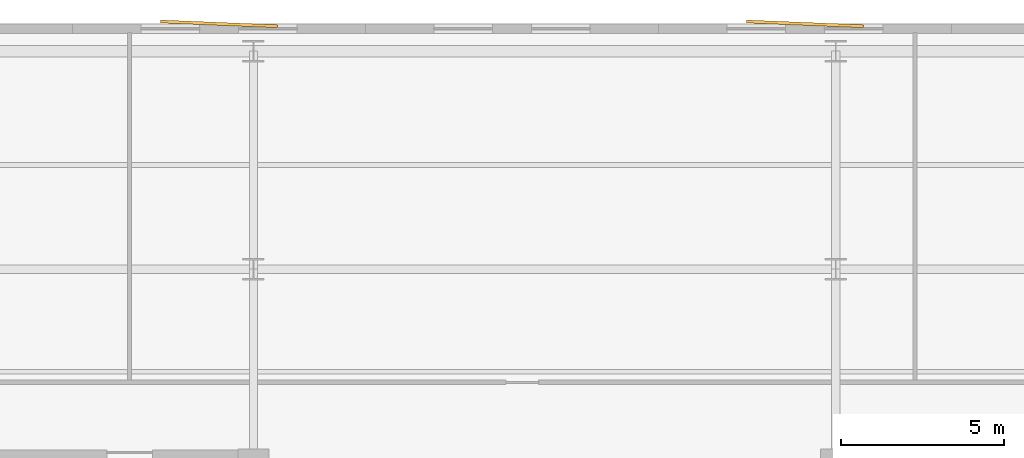
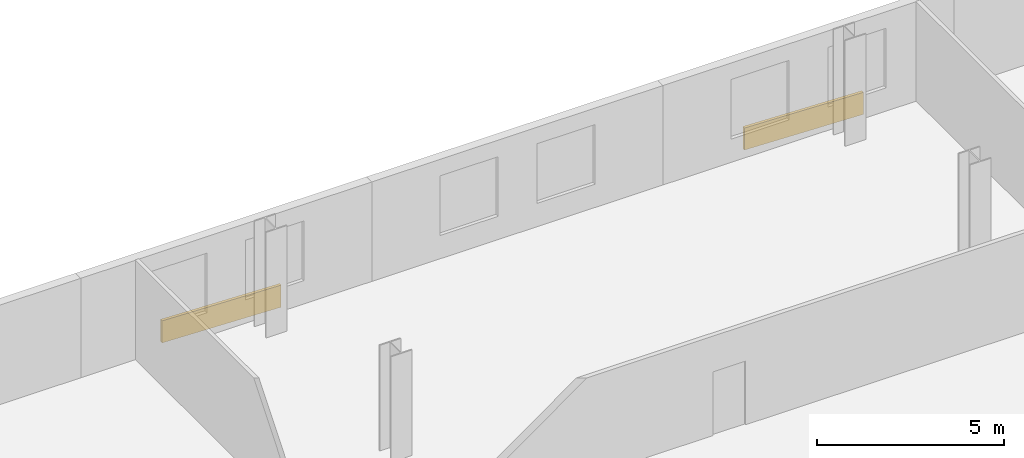
# One storey, part 10 of 10: 2 coverings.
"""IFC4 building model written with IfcOpenShell, lengths in metres."""

from ifc_helpers import new_model, si_unit, direction, frame, origin, origin_2d, place, context, subcontext, project, spatial, rectangle, extrude, material, layer, layer_set, type_object, element, save


model = new_model("IFC4")

# Units and contexts
model_context = context("Model", 3, precision=1e-05, world=origin(), true_north=direction((0.0, 1.0)))
body_context = subcontext(model_context, "Body", "Model", "MODEL_VIEW")
ifc_project = project(units=[si_unit("LENGTHUNIT", "METRE"), si_unit("AREAUNIT", "SQUARE_METRE"), si_unit("VOLUMEUNIT", "CUBIC_METRE"), si_unit("PLANEANGLEUNIT", "RADIAN"), si_unit("MASSUNIT", "GRAM", prefix="KILO")], contexts=[model_context])

# Site, building, storey
site_placement = place(None, origin())
site = spatial("IfcSite", under=ifc_project, at=site_placement, CompositionType="ELEMENT")
building_placement = place(site_placement, origin())
building = spatial("IfcBuilding", under=site, at=building_placement, Name="Velakula Bourse", CompositionType="ELEMENT")
storey_placement = place(building_placement, frame((0.0, 0.0, 127.75)))
storey = spatial("IfcBuildingStorey", under=building, at=storey_placement, Name="L34", CompositionType="ELEMENT", Elevation=127.75)

# Coverings
ifc_material = material(Name="Red kilned clay facing brick masonry", Category="masonry")
ifc_layer = layer(ifc_material, 0.090087890625, Name="Red kilned clay facing brick masonry", Category="masonry")
ifc_layer_set = layer_set([ifc_layer], Name="Red kilned clay facing brick masonry")
covering_type = type_object("IfcCoveringType", Name="COV-BRK-FOLD-90", PredefinedType="CLADDING", material=ifc_layer_set)
for number, where, z_axis, x_axis, name in (
    (1, (-10.0, 22.139892578125, 0.0), (0.0, 0.0, 1.0), (0.999158993058, -0.041003738744, 0.0), "L34 Folded Brick Facade Cladding Panel N-B2"),
    (2, (8.0, 22.139892578125, 0.0), (0.0, 0.0, 1.0), (0.999158993058, -0.041003738744, 0.0), "L34 Folded Brick Facade Cladding Panel N-B4"),
):
    element("IfcCovering", number, at=place(storey_placement, frame(where, z_axis=z_axis, x_axis=x_axis)), inside=storey, type_object=covering_type, Name=name, PredefinedType="CLADDING", context=body_context, shape_type="SweptSolid", body=[
        extrude(rectangle(XDim=3.60009765625, YDim=0.090087890625, at=origin_2d()), origin(), (0.0, 0.0, 1.0), 0.719970703125),
    ])

save(model, "model.ifc")
